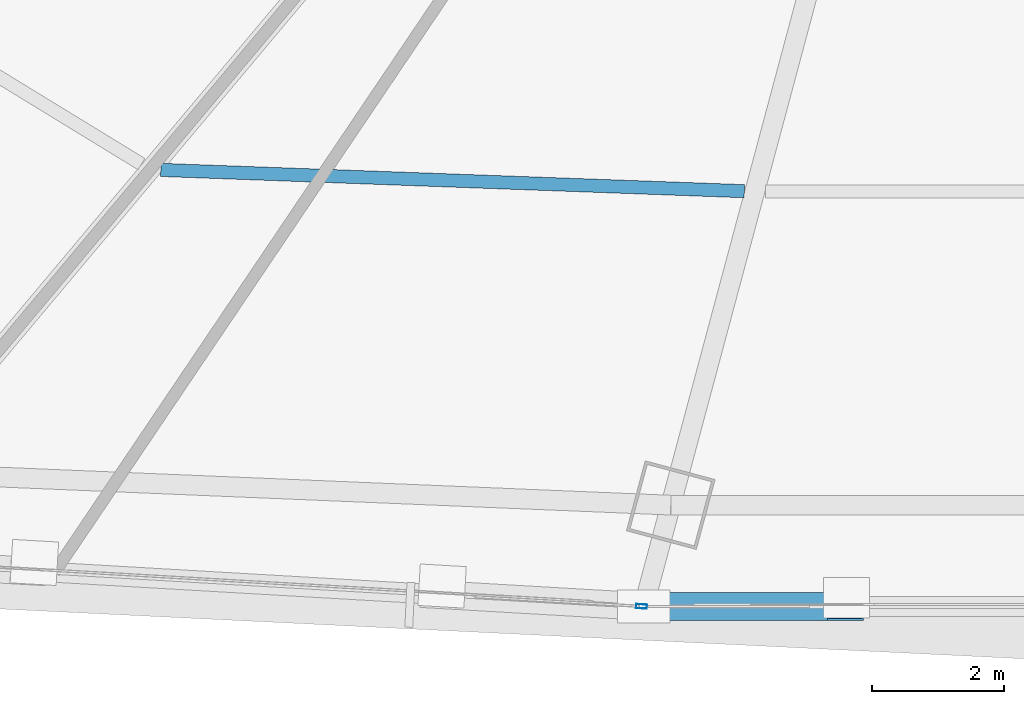
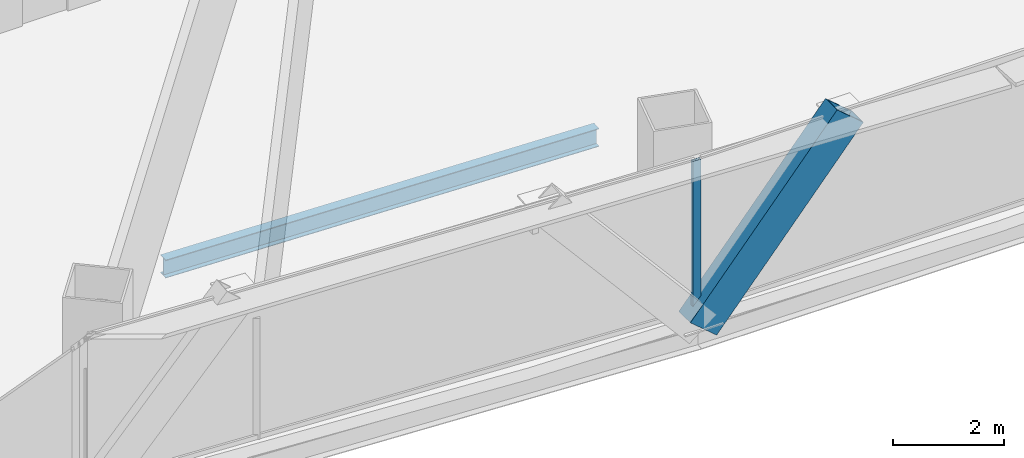
# One storey, part 8 of 42: 2 members, 1 beam, 1 element without a shape of its own.
"""IFC4 building model written with IfcOpenShell, lengths in metres."""

from ifc_helpers import new_model, si_unit, direction, frame, origin, origin_2d, place, context, subcontext, project, spatial, hollow_rectangle, i_section, extrude, source, transform, mapped, material, layer, layer_set, material_profile, profile_set, type_object, element, aggregate, save


model = new_model("IFC4")

# Units and contexts
model_context = context("Model", 3, precision=1e-05, world=origin(), true_north=direction((0.0, 1.0)))
body_context = subcontext(model_context, "Body", "Model", "MODEL_VIEW")
ifc_project = project(units=[si_unit("LENGTHUNIT", "METRE"), si_unit("AREAUNIT", "SQUARE_METRE"), si_unit("VOLUMEUNIT", "CUBIC_METRE"), si_unit("PLANEANGLEUNIT", "RADIAN"), si_unit("MASSUNIT", "GRAM", prefix="KILO"), si_unit("THERMODYNAMICTEMPERATUREUNIT", "KELVIN"), si_unit("POWERUNIT", "WATT")], contexts=[model_context])

# Site, building, storey
site_placement = place(None, origin())
site = spatial("IfcSite", under=ifc_project, at=site_placement, CompositionType="ELEMENT")
building_placement = place(site_placement, origin())
building = spatial("IfcBuilding", under=site, at=building_placement, Name="Yunzhuo Pagoda Commons", CompositionType="ELEMENT")
storey_placement = place(building_placement, frame((0.0, 0.0, 48.550048828125)))
storey = spatial("IfcBuildingStorey", under=building, at=storey_placement, Name="L12", CompositionType="ELEMENT", Elevation=48.550048828125)

# Beam
ifc_material_1 = material(Name="Structural steel Q355B", Category="steel")
ifc_material_profile_1 = material_profile(ifc_material_1, i_section(OverallWidth=0.199951171875, OverallDepth=0.39990234375, WebThickness=0.008056640625, FlangeThickness=0.012939453125, at=origin_2d()), Name="Structural steel Q355B")
ifc_profile_set_1 = profile_set([ifc_material_profile_1], Name="Structural steel Q355B")
beam_type = type_object("IfcBeamType", Name="B-JS1 Joist HN 400x200x8x13", PredefinedType="JOIST", material=ifc_profile_set_1)
shared_shape_1 = source(origin(), body_context, "Body", "SweptSolid", [
    extrude(i_section(OverallWidth=0.199951171875, OverallDepth=0.39990234375, WebThickness=0.008056640625, FlangeThickness=0.012939453125, at=origin_2d()), origin(), (0.0, 0.0, 1.0), 8.876953125),
])
beam_placement = place(storey_placement, frame((34.527099609375, 17.448486328125, -0.4599609375), z_axis=(0.999335806416, -0.036440993601, 0.0), x_axis=(0.036440993601, 0.999335806416, 0.0)))
element("IfcBeam", 1, at=beam_placement, inside=storey, type_object=beam_type, Name="L12 composite ring joist 2.1", PredefinedType="JOIST", context=body_context, shape_type="MappedRepresentation", body=[
    mapped(shared_shape_1, transform((0.0, 0.0, 0.0), scale=1.0)),
])

# Member
ifc_material_2 = material(Name="Structural steel Q420B", Category="steel")
ifc_material_profile_2 = material_profile(ifc_material_2, hollow_rectangle(XDim=0.419921875, YDim=0.719970703125, WallThickness=0.028076171875, at=origin_2d()), Name="Structural steel Q420B")
ifc_profile_set_2 = profile_set([ifc_material_profile_2], Name="Structural steel Q420B")
member_type_1 = type_object("IfcMemberType", Name="M-DL1 Brace BOX 720x420x28", PredefinedType="BRACE", material=ifc_profile_set_2)
shared_shape_2 = source(origin(), body_context, "Body", "SweptSolid", [
    extrude(hollow_rectangle(XDim=0.419921875, YDim=0.719970703125, WallThickness=0.028076171875, at=origin_2d()), origin(), (0.0, 0.0, 1.0), 4.751953125),
])
member_1_placement = place(storey_placement, frame((41.866943359375, 10.811279296875, -0.260009765625), z_axis=(0.645354750538, 0.0, 0.763883005413), x_axis=(0.0, 1.0, 0.0)))
element("IfcMember", 2, at=member_1_placement, inside=storey, type_object=member_type_1, Name="L12 facade diamond brace F1.2L", PredefinedType="BRACE", context=body_context, shape_type="MappedRepresentation", body=[
    mapped(shared_shape_2, transform((0.0, 0.0, 0.0), scale=1.0)),
])

# Curtain wall, member
ifc_material_3 = material(Name="Anodized aluminium 6063-T6", Category="aluminium")
ifc_layer = layer(ifc_material_3, 0.1650390625)
ifc_layer_set = layer_set([ifc_layer], Name="Anodized aluminium 6063-T6")
curtain_wall_type = type_object("IfcCurtainWallType", Name="CW-LOW Low-Zone Ribbon Curtain Wall", PredefinedType="NOTDEFINED", material=ifc_layer_set)
curtain_wall_placement = place(storey_placement, origin())
curtain_wall = element("IfcCurtainWall", 3, at=curtain_wall_placement, inside=storey, type_object=curtain_wall_type, Name="L12 curtain wall CW-L12-F1B2", PredefinedType="NOTDEFINED")
ifc_material_profile_3 = material_profile(ifc_material_3, hollow_rectangle(XDim=0.06494140625, YDim=0.1650390625, WallThickness=0.00390625, at=origin_2d()), Name="Anodized aluminium 6063-T6")
ifc_profile_set_3 = profile_set([ifc_material_profile_3], Name="Anodized aluminium 6063-T6")
member_type_2 = type_object("IfcMemberType", Name="CW-LOW-M Mullion RHS 165x65x4", PredefinedType="MULLION", material=ifc_profile_set_3)
shared_shape_3 = source(origin(), body_context, "Body", "SweptSolid", [
    extrude(hollow_rectangle(XDim=0.06494140625, YDim=0.1650390625, WallThickness=0.00390625, at=origin_2d()), origin(), (0.0, 0.0, 1.0), 3.369873046875),
])
member_2_placement = place(storey_placement, frame((41.83447265625, 10.813232421875, 0.0), z_axis=(0.0, 0.0, 1.0), x_axis=(0.057790687505, 0.998328721633, 0.0)))
member_2 = element("IfcMember", 4, at=member_2_placement, type_object=member_type_2, Name="CW mullion 2", PredefinedType="MULLION", context=body_context, shape_type="MappedRepresentation", body=[
    mapped(shared_shape_3, transform((0.0, 0.0, 0.0), scale=1.0)),
])
aggregate(curtain_wall, [member_2])

save(model, "model.ifc")
